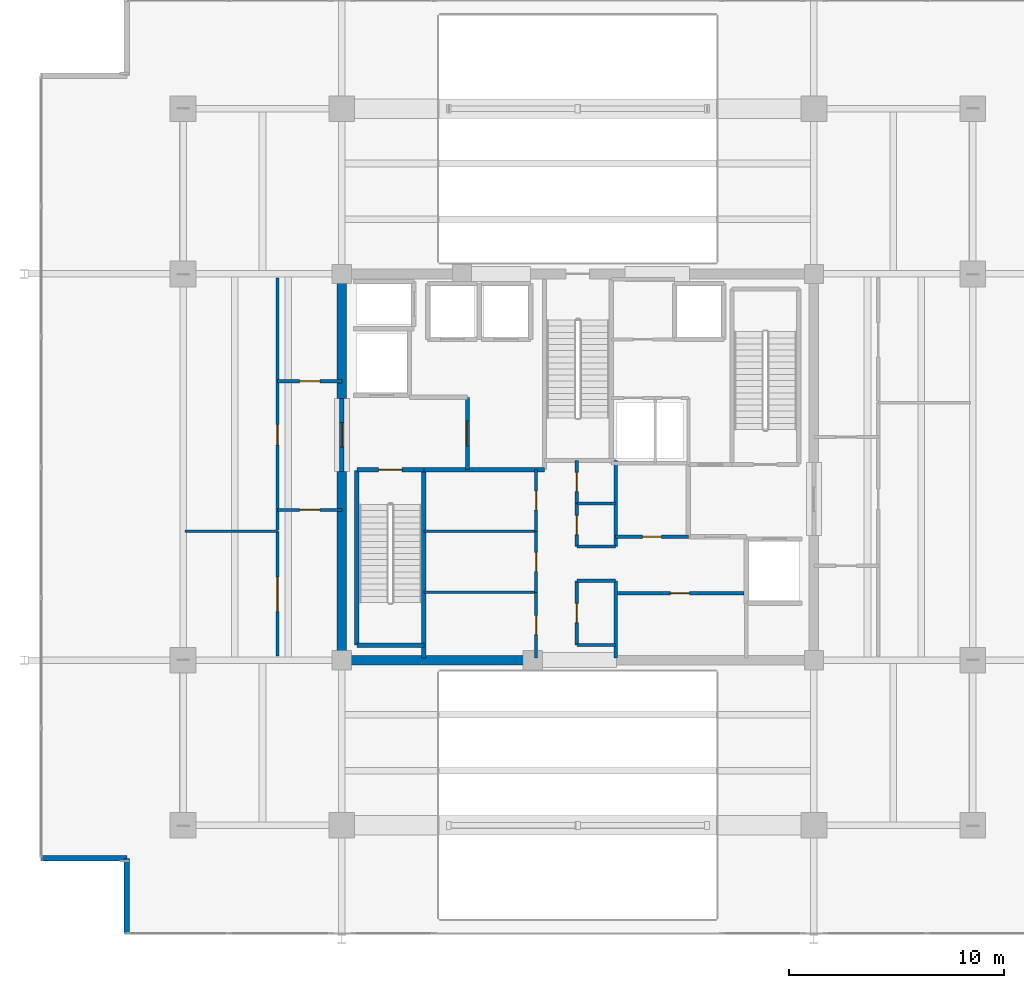
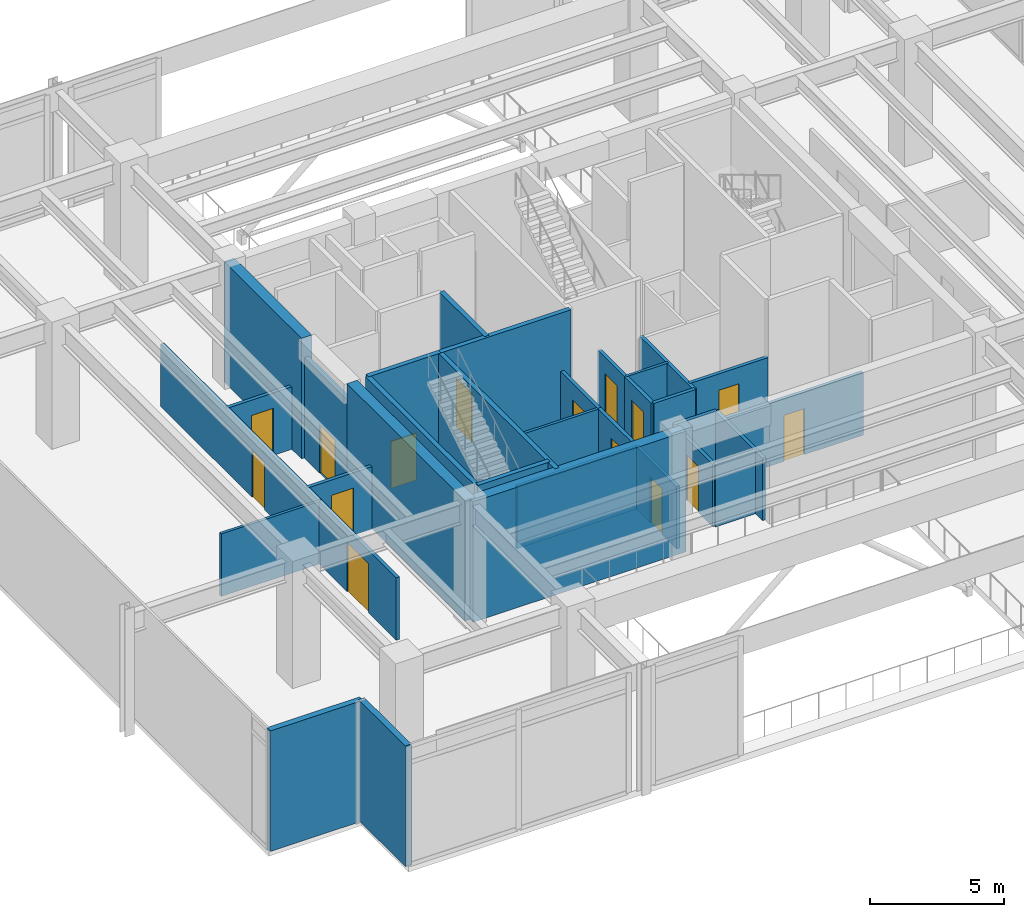
# One storey, part 21 of 25: 33 walls, 15 doors, 15 openings.
"""IFC4 building model written with IfcOpenShell, lengths in metres."""

from ifc_helpers import new_model, si_unit, direction, frame, frame_2d, origin, place, context, subcontext, project, spatial, rectangle, extrude, material, layer, layer_set, type_object, element, fill, save


model = new_model("IFC4")

# Units and contexts
model_context = context("Model", 3, precision=1e-05, world=origin(), true_north=direction((0.0, 1.0)))
body_context = subcontext(model_context, "Body", "Model", "MODEL_VIEW")
ifc_project = project(units=[si_unit("LENGTHUNIT", "METRE"), si_unit("AREAUNIT", "SQUARE_METRE"), si_unit("VOLUMEUNIT", "CUBIC_METRE"), si_unit("PLANEANGLEUNIT", "RADIAN"), si_unit("MASSUNIT", "GRAM", prefix="KILO")], contexts=[model_context])

# Site, building, storey
site_placement = place(None, origin())
site = spatial("IfcSite", under=ifc_project, at=site_placement, CompositionType="ELEMENT")
building_placement = place(site_placement, origin())
building = spatial("IfcBuilding", under=site, at=building_placement, Name="Kovane Verandah Tower", CompositionType="ELEMENT")
storey_placement = place(building_placement, frame((0.0, 0.0, 295.199951171875)))
storey = spatial("IfcBuildingStorey", under=building, at=storey_placement, Name="L69", CompositionType="ELEMENT", Elevation=295.199951171875)

# Walls
ifc_material_1 = material(Name="Fire-Rated Gypsum Stud Partition", Category="gypsum")
ifc_layer_1 = layer(ifc_material_1, 0.14990234375)
ifc_layer_set_1 = layer_set([ifc_layer_1], Name="Fire-Rated Gypsum Stud Partition")
wall_type_1 = type_object("IfcWallType", Name="WL-COR-150", PredefinedType="PARTITIONING", material=ifc_layer_set_1)
for number, where, z_axis, x_axis, name in (
    (1, (39.949951171875, 19.199951171875, 0.0), (0.0, 0.0, 1.0), (1.0, 0.0, 0.0), "L69 Central Core Strip South Wall"),
    (2, (39.949951171875, 22.199951171875, 0.0), (0.0, 0.0, 1.0), (1.0, 0.0, 0.0), "L69 Core Cross-Passage South Wall"),
    (3, (39.949951171875, 23.800048828125, 0.0), (0.0, 0.0, 1.0), (1.0, 0.0, 0.0), "L69 Core Cross-Passage North Wall"),
):
    element("IfcWall", number, at=place(storey_placement, frame(where, z_axis=z_axis, x_axis=x_axis)), inside=storey, type_object=wall_type_1, Name=name, PredefinedType="PARTITIONING", context=body_context, shape_type="SweptSolid", body=[
        extrude(rectangle(XDim=1.81005859375, YDim=0.14990234375, at=frame_2d((0.905029296875, 0.0))), origin(), (0.0, 0.0, 1.0), 2.85009765625),
    ])
wall_1_placement = place(storey_placement, frame((41.760009765625, 18.60009765625, 0.0), z_axis=(0.0, 0.0, 1.0), x_axis=(0.0, 1.0, 0.0)))
element("IfcWall", 4, at=wall_1_placement, inside=storey, type_object=wall_type_1, Name="L69 Central Core Strip Lower East Wall", PredefinedType="PARTITIONING", context=body_context, shape_type="SweptSolid", body=[
    extrude(rectangle(XDim=3.599853515625, YDim=0.14990234375, at=frame_2d((1.7998046875, 0.0))), origin(), (0.0, 0.0, 1.0), 2.85009765625),
])
wall_2_placement = place(storey_placement, frame((41.760009765625, 23.800048828125, 0.0), z_axis=(0.0, 0.0, 1.0), x_axis=(0.0, 1.0, 0.0)))
element("IfcWall", 5, at=wall_2_placement, inside=storey, type_object=wall_type_1, Name="L69 Central Core Strip Upper East Wall", PredefinedType="PARTITIONING", context=body_context, shape_type="SweptSolid", body=[
    extrude(rectangle(XDim=4.0, YDim=0.14990234375, at=frame_2d((2.0, 0.0))), origin(), (0.0, 0.0, 1.0), 2.85009765625),
])

# Wall, opening, door
wall_3_placement = place(storey_placement, frame((39.949951171875, 19.199951171875, 0.0), z_axis=(0.0, 0.0, 1.0), x_axis=(0.0, 1.0, 0.0)))
wall_3 = element("IfcWall", 6, at=wall_3_placement, inside=storey, type_object=wall_type_1, Name="L69 Male Toilet Partition", PredefinedType="PARTITIONING", context=body_context, shape_type="SweptSolid", body=[
    extrude(rectangle(XDim=3.0, YDim=0.14990234375, at=frame_2d((1.5, 0.0))), origin(), (0.0, 0.0, 1.0), 2.85009765625),
])
opening_1_placement = place(wall_3_placement, frame((1.050048828125, 0.0, 0.0)))
opening_1 = element("IfcOpeningElement", 7, at=opening_1_placement, cuts=wall_3, Name="Opening DR-L69-027", PredefinedType="OPENING", context=body_context, shape_type="SweptSolid", body=[
    extrude(rectangle(XDim=0.89990234375, YDim=2.10009765625, at=frame_2d((0.449951171875, 1.050048828125))), frame((0.0, 0.074951171875, 0.0), z_axis=(0.0, -1.0, 0.0), x_axis=(1.0, 0.0, 0.0)), (0.0, 0.0, 1.0), 0.14990234375),
])
ifc_material_2 = material(Name="Moisture-Resistant Laminate Washroom Door", Category="wood")
door_type_1 = type_object("IfcDoorType", Name="DR-WC-900", OperationType="SINGLE_SWING_LEFT", PredefinedType="DOOR", material=ifc_material_2)
door_1_placement = place(opening_1_placement, origin())
door_1 = element("IfcDoor", 8, at=door_1_placement, inside=storey, type_object=door_type_1, Name="L69 Male Toilet Door", OperationType="SINGLE_SWING_LEFT", OverallHeight=2.10009765625, OverallWidth=0.89990234375, PredefinedType="DOOR", context=body_context, shape_type="SweptSolid", body=[
    extrude(rectangle(XDim=0.89990234375, YDim=2.10009765625, at=frame_2d((0.449951171875, 1.050048828125))), frame((0.0, 0.02490234375, 0.0), z_axis=(0.0, -1.0, 0.0), x_axis=(1.0, 0.0, 0.0)), (0.0, 0.0, 1.0), 0.050048828125),
])
fill(opening_1, door_1)

wall_4_placement = place(storey_placement, frame((39.949951171875, 23.800048828125, 0.0), z_axis=(0.0, 0.0, 1.0), x_axis=(0.0, 1.0, 0.0)))
wall_4 = element("IfcWall", 9, at=wall_4_placement, inside=storey, type_object=wall_type_1, Name="L69 Female Toilet Partition", PredefinedType="PARTITIONING", context=body_context, shape_type="SweptSolid", body=[
    extrude(rectangle(XDim=2.0, YDim=0.14990234375, at=frame_2d((1.0, 0.0))), origin(), (0.0, 0.0, 1.0), 2.85009765625),
])
opening_2_placement = place(wall_4_placement, frame((0.550048828125, 0.0, 0.0)))
opening_2 = element("IfcOpeningElement", 10, at=opening_2_placement, cuts=wall_4, Name="Opening DR-L69-026", PredefinedType="OPENING", context=body_context, shape_type="SweptSolid", body=[
    extrude(rectangle(XDim=0.89990234375, YDim=2.10009765625, at=frame_2d((0.449951171875, 1.050048828125))), frame((0.0, 0.074951171875, 0.0), z_axis=(0.0, -1.0, 0.0), x_axis=(1.0, 0.0, 0.0)), (0.0, 0.0, 1.0), 0.14990234375),
])
door_2_placement = place(opening_2_placement, origin())
door_2 = element("IfcDoor", 11, at=door_2_placement, inside=storey, type_object=door_type_1, Name="L69 Female Toilet Door", OperationType="SINGLE_SWING_RIGHT", OverallHeight=2.10009765625, OverallWidth=0.89990234375, PredefinedType="DOOR", context=body_context, shape_type="SweptSolid", body=[
    extrude(rectangle(XDim=0.89990234375, YDim=2.10009765625, at=frame_2d((0.449951171875, 1.050048828125))), frame((0.0, 0.02490234375, 0.0), z_axis=(0.0, -1.0, 0.0), x_axis=(1.0, 0.0, 0.0)), (0.0, 0.0, 1.0), 0.050048828125),
])
fill(opening_2, door_2)

wall_5_placement = place(storey_placement, frame((39.949951171875, 25.800048828125, 0.0), z_axis=(0.0, 0.0, 1.0), x_axis=(0.0, 1.0, 0.0)))
wall_5 = element("IfcWall", 12, at=wall_5_placement, inside=storey, type_object=wall_type_1, Name="L69 Accessible Unisex Toilet Partition", PredefinedType="PARTITIONING", context=body_context, shape_type="SweptSolid", body=[
    extrude(rectangle(XDim=2.0, YDim=0.14990234375, at=frame_2d((1.0, 0.0))), origin(), (0.0, 0.0, 1.0), 2.85009765625),
])
opening_3_placement = place(wall_5_placement, frame((0.550048828125, 0.0, 0.0)))
opening_3 = element("IfcOpeningElement", 13, at=opening_3_placement, cuts=wall_5, Name="Opening DR-L69-025", PredefinedType="OPENING", context=body_context, shape_type="SweptSolid", body=[
    extrude(rectangle(XDim=0.89990234375, YDim=2.10009765625, at=frame_2d((0.449951171875, 1.050048828125))), frame((0.0, 0.074951171875, 0.0), z_axis=(0.0, -1.0, 0.0), x_axis=(1.0, 0.0, 0.0)), (0.0, 0.0, 1.0), 0.14990234375),
])
door_3_placement = place(opening_3_placement, origin())
door_3 = element("IfcDoor", 14, at=door_3_placement, inside=storey, type_object=door_type_1, Name="L69 Accessible Unisex Toilet Door", OperationType="SINGLE_SWING_LEFT", OverallHeight=2.10009765625, OverallWidth=0.89990234375, PredefinedType="DOOR", context=body_context, shape_type="SweptSolid", body=[
    extrude(rectangle(XDim=0.89990234375, YDim=2.10009765625, at=frame_2d((0.449951171875, 1.050048828125))), frame((0.0, 0.02490234375, 0.0), z_axis=(0.0, -1.0, 0.0), x_axis=(1.0, 0.0, 0.0)), (0.0, 0.0, 1.0), 0.050048828125),
])
fill(opening_3, door_3)

wall_6_placement = place(storey_placement, frame((38.050048828125, 18.60009765625, 0.0), z_axis=(0.0, 0.0, 1.0), x_axis=(0.0, 1.0, 0.0)))
wall_6 = element("IfcWall", 15, at=wall_6_placement, inside=storey, type_object=wall_type_1, Name="L69 Core Smoke Extract Plant Room Partition", PredefinedType="PARTITIONING", context=body_context, shape_type="SweptSolid", body=[
    extrude(rectangle(XDim=3.059814453125, YDim=0.14990234375, at=frame_2d((1.52978515625, 0.0))), origin(), (0.0, 0.0, 1.0), 2.85009765625),
])
opening_4_placement = place(wall_6_placement, frame((1.090087890625, 0.0, 0.0)))
opening_4 = element("IfcOpeningElement", 16, at=opening_4_placement, cuts=wall_6, Name="Opening DR-L69-016", PredefinedType="OPENING", context=body_context, shape_type="SweptSolid", body=[
    extrude(rectangle(XDim=0.8798828125, YDim=2.10009765625, at=frame_2d((0.43994140625, 1.050048828125))), frame((0.0, 0.074951171875, 0.0), z_axis=(0.0, -1.0, 0.0), x_axis=(1.0, 0.0, 0.0)), (0.0, 0.0, 1.0), 0.14990234375),
])
ifc_material_3 = material(Name="Fire-Rated Steel Riser Access Door", Category="steel")
door_type_2 = type_object("IfcDoorType", Name="DR-RISER-880", OperationType="SINGLE_SWING_LEFT", PredefinedType="DOOR", material=ifc_material_3)
door_4_placement = place(opening_4_placement, origin())
door_4 = element("IfcDoor", 17, at=door_4_placement, inside=storey, type_object=door_type_2, Name="L69 Core Smoke Extract Plant Room Door", OperationType="SINGLE_SWING_RIGHT", OverallHeight=2.10009765625, OverallWidth=0.8798828125, PredefinedType="DOOR", context=body_context, shape_type="SweptSolid", body=[
    extrude(rectangle(XDim=0.8798828125, YDim=2.10009765625, at=frame_2d((0.43994140625, 1.050048828125))), frame((0.0, 0.02490234375, 0.0), z_axis=(0.0, -1.0, 0.0), x_axis=(1.0, 0.0, 0.0)), (0.0, 0.0, 1.0), 0.050048828125),
])
fill(opening_4, door_4)

wall_7_placement = place(storey_placement, frame((38.050048828125, 21.659912109375, 0.0), z_axis=(0.0, 0.0, 1.0), x_axis=(0.0, 1.0, 0.0)))
wall_7 = element("IfcWall", 18, at=wall_7_placement, inside=storey, type_object=wall_type_1, Name="L69 Core Chilled Water Booster Plant Room Partition", PredefinedType="PARTITIONING", context=body_context, shape_type="SweptSolid", body=[
    extrude(rectangle(XDim=2.840087890625, YDim=0.14990234375, at=frame_2d((1.419921875, 0.0))), origin(), (0.0, 0.0, 1.0), 2.85009765625),
])
opening_5_placement = place(wall_7_placement, frame((0.97998046875, 0.0, 0.0)))
opening_5 = element("IfcOpeningElement", 19, at=opening_5_placement, cuts=wall_7, Name="Opening DR-L69-017", PredefinedType="OPENING", context=body_context, shape_type="SweptSolid", body=[
    extrude(rectangle(XDim=0.8798828125, YDim=2.10009765625, at=frame_2d((0.43994140625, 1.050048828125))), frame((0.0, 0.074951171875, 0.0), z_axis=(0.0, -1.0, 0.0), x_axis=(1.0, 0.0, 0.0)), (0.0, 0.0, 1.0), 0.14990234375),
])
door_5_placement = place(opening_5_placement, origin())
door_5 = element("IfcDoor", 20, at=door_5_placement, inside=storey, type_object=door_type_2, Name="L69 Core Chilled Water Booster Plant Room Door", OperationType="SINGLE_SWING_LEFT", OverallHeight=2.10009765625, OverallWidth=0.8798828125, PredefinedType="DOOR", context=body_context, shape_type="SweptSolid", body=[
    extrude(rectangle(XDim=0.8798828125, YDim=2.10009765625, at=frame_2d((0.43994140625, 1.050048828125))), frame((0.0, 0.02490234375, 0.0), z_axis=(0.0, -1.0, 0.0), x_axis=(1.0, 0.0, 0.0)), (0.0, 0.0, 1.0), 0.050048828125),
])
fill(opening_5, door_5)

wall_8_placement = place(storey_placement, frame((38.050048828125, 24.5, 0.0), z_axis=(0.0, 0.0, 1.0), x_axis=(0.0, 1.0, 0.0)))
wall_8 = element("IfcWall", 21, at=wall_8_placement, inside=storey, type_object=wall_type_1, Name="L69 Core Electrical Switchgear Plant Room Partition", PredefinedType="PARTITIONING", context=body_context, shape_type="SweptSolid", body=[
    extrude(rectangle(XDim=2.8798828125, YDim=0.14990234375, at=frame_2d((1.43994140625, 0.0))), origin(), (0.0, 0.0, 1.0), 2.85009765625),
])
opening_6_placement = place(wall_8_placement, frame((1.0, 0.0, 0.0)))
opening_6 = element("IfcOpeningElement", 22, at=opening_6_placement, cuts=wall_8, Name="Opening DR-L69-018", PredefinedType="OPENING", context=body_context, shape_type="SweptSolid", body=[
    extrude(rectangle(XDim=0.8798828125, YDim=2.10009765625, at=frame_2d((0.43994140625, 1.050048828125))), frame((0.0, 0.074951171875, 0.0), z_axis=(0.0, -1.0, 0.0), x_axis=(1.0, 0.0, 0.0)), (0.0, 0.0, 1.0), 0.14990234375),
])
door_6_placement = place(opening_6_placement, origin())
door_6 = element("IfcDoor", 23, at=door_6_placement, inside=storey, type_object=door_type_2, Name="L69 Core Electrical Switchgear Plant Room Door", OperationType="SINGLE_SWING_RIGHT", OverallHeight=2.10009765625, OverallWidth=0.8798828125, PredefinedType="DOOR", context=body_context, shape_type="SweptSolid", body=[
    extrude(rectangle(XDim=0.8798828125, YDim=2.10009765625, at=frame_2d((0.43994140625, 1.050048828125))), frame((0.0, 0.02490234375, 0.0), z_axis=(0.0, -1.0, 0.0), x_axis=(1.0, 0.0, 0.0)), (0.0, 0.0, 1.0), 0.050048828125),
])
fill(opening_6, door_6)

wall_9_placement = place(storey_placement, frame((41.760009765625, 21.6201171875, 0.0), z_axis=(0.0, 0.0, 1.0), x_axis=(1.0, 0.0, 0.0)))
wall_9 = element("IfcWall", 24, at=wall_9_placement, inside=storey, type_object=wall_type_1, Name="L69 Core Smoke Extract Fan Plant Room Partition", PredefinedType="PARTITIONING", context=body_context, shape_type="SweptSolid", body=[
    extrude(rectangle(XDim=5.97998046875, YDim=0.14990234375, at=frame_2d((2.989990234375, 0.0))), origin(), (0.0, 0.0, 1.0), 2.85009765625),
])
opening_7_placement = place(wall_9_placement, frame((2.550048828125, 0.0, 0.0)))
opening_7 = element("IfcOpeningElement", 25, at=opening_7_placement, cuts=wall_9, Name="Opening DR-L69-019", PredefinedType="OPENING", context=body_context, shape_type="SweptSolid", body=[
    extrude(rectangle(XDim=0.8798828125, YDim=2.10009765625, at=frame_2d((0.43994140625, 1.050048828125))), frame((0.0, 0.074951171875, 0.0), z_axis=(0.0, -1.0, 0.0), x_axis=(1.0, 0.0, 0.0)), (0.0, 0.0, 1.0), 0.14990234375),
])
door_7_placement = place(opening_7_placement, origin())
door_7 = element("IfcDoor", 26, at=door_7_placement, inside=storey, type_object=door_type_2, Name="L69 Core Smoke Extract Fan Plant Room Door", OperationType="SINGLE_SWING_LEFT", OverallHeight=2.10009765625, OverallWidth=0.8798828125, PredefinedType="DOOR", context=body_context, shape_type="SweptSolid", body=[
    extrude(rectangle(XDim=0.8798828125, YDim=2.10009765625, at=frame_2d((0.43994140625, 1.050048828125))), frame((0.0, 0.02490234375, 0.0), z_axis=(0.0, -1.0, 0.0), x_axis=(1.0, 0.0, 0.0)), (0.0, 0.0, 1.0), 0.050048828125),
])
fill(opening_7, door_7)

wall_10_placement = place(storey_placement, frame((41.760009765625, 24.25, 0.0), z_axis=(0.0, 0.0, 1.0), x_axis=(1.0, 0.0, 0.0)))
wall_10 = element("IfcWall", 27, at=wall_10_placement, inside=storey, type_object=wall_type_1, Name="L69 Cleaner Store Partition", PredefinedType="PARTITIONING", context=body_context, shape_type="SweptSolid", body=[
    extrude(rectangle(XDim=3.389892578125, YDim=0.14990234375, at=frame_2d((1.69482421875, 0.0))), origin(), (0.0, 0.0, 1.0), 2.85009765625),
])
opening_8_placement = place(wall_10_placement, frame((1.2548828125, 0.0, 0.0)))
opening_8 = element("IfcOpeningElement", 28, at=opening_8_placement, cuts=wall_10, Name="Opening DR-L69-020", PredefinedType="OPENING", context=body_context, shape_type="SweptSolid", body=[
    extrude(rectangle(XDim=0.8798828125, YDim=2.10009765625, at=frame_2d((0.43994140625, 1.050048828125))), frame((0.0, 0.074951171875, 0.0), z_axis=(0.0, -1.0, 0.0), x_axis=(1.0, 0.0, 0.0)), (0.0, 0.0, 1.0), 0.14990234375),
])
door_8_placement = place(opening_8_placement, origin())
door_8 = element("IfcDoor", 29, at=door_8_placement, inside=storey, type_object=door_type_2, Name="L69 Cleaner Store Door", OperationType="SINGLE_SWING_RIGHT", OverallHeight=2.10009765625, OverallWidth=0.8798828125, PredefinedType="DOOR", context=body_context, shape_type="SweptSolid", body=[
    extrude(rectangle(XDim=0.8798828125, YDim=2.10009765625, at=frame_2d((0.43994140625, 1.050048828125))), frame((0.0, 0.02490234375, 0.0), z_axis=(0.0, -1.0, 0.0), x_axis=(1.0, 0.0, 0.0)), (0.0, 0.0, 1.0), 0.050048828125),
])
fill(opening_8, door_8)

wall_11_placement = place(storey_placement, frame((26.0, 25.5, 0.0), z_axis=(0.0, 0.0, 1.0), x_axis=(1.0, 0.0, 0.0)))
wall_11 = element("IfcWall", 30, at=wall_11_placement, inside=storey, type_object=wall_type_1, Name="L69 West Refuge Lobby South Fire Wall", PredefinedType="PARTITIONING", context=body_context, shape_type="SweptSolid", body=[
    extrude(rectangle(XDim=3.0, YDim=0.14990234375, at=frame_2d((1.5, 0.0))), origin(), (0.0, 0.0, 1.0), 2.85009765625),
])
opening_9_placement = place(wall_11_placement, frame((1.02490234375, 0.0, 0.0)))
opening_9 = element("IfcOpeningElement", 31, at=opening_9_placement, cuts=wall_11, Name="Opening DR-L69-009", PredefinedType="OPENING", context=body_context, shape_type="SweptSolid", body=[
    extrude(rectangle(XDim=0.949951171875, YDim=2.14990234375, at=frame_2d((0.47509765625, 1.074951171875))), frame((0.0, 0.074951171875, 0.0), z_axis=(0.0, -1.0, 0.0), x_axis=(1.0, 0.0, 0.0)), (0.0, 0.0, 1.0), 0.14990234375),
])
ifc_material_4 = material(Name="Fire-Rated Steel Refuge and Lobby Door", Category="steel")
door_type_3 = type_object("IfcDoorType", Name="DR-FIRE-950", OperationType="SINGLE_SWING_LEFT", PredefinedType="DOOR", material=ifc_material_4)
door_9_placement = place(opening_9_placement, origin())
door_9 = element("IfcDoor", 32, at=door_9_placement, inside=storey, type_object=door_type_3, Name="L69 West Refuge Lobby South Fire Door", OperationType="SINGLE_SWING_RIGHT", OverallHeight=2.14990234375, OverallWidth=0.949951171875, PredefinedType="DOOR", context=body_context, shape_type="SweptSolid", body=[
    extrude(rectangle(XDim=0.949951171875, YDim=2.14990234375, at=frame_2d((0.47509765625, 1.074951171875))), frame((0.0, 0.02490234375, 0.0), z_axis=(0.0, -1.0, 0.0), x_axis=(1.0, 0.0, 0.0)), (0.0, 0.0, 1.0), 0.050048828125),
])
fill(opening_9, door_9)

wall_12_placement = place(storey_placement, frame((26.0, 31.5, 0.0), z_axis=(0.0, 0.0, 1.0), x_axis=(1.0, 0.0, 0.0)))
wall_12 = element("IfcWall", 33, at=wall_12_placement, inside=storey, type_object=wall_type_1, Name="L69 West Refuge Lobby North Fire Wall", PredefinedType="PARTITIONING", context=body_context, shape_type="SweptSolid", body=[
    extrude(rectangle(XDim=3.0, YDim=0.14990234375, at=frame_2d((1.5, 0.0))), origin(), (0.0, 0.0, 1.0), 2.85009765625),
])
opening_10_placement = place(wall_12_placement, frame((1.02490234375, 0.0, 0.0)))
opening_10 = element("IfcOpeningElement", 34, at=opening_10_placement, cuts=wall_12, Name="Opening DR-L69-008", PredefinedType="OPENING", context=body_context, shape_type="SweptSolid", body=[
    extrude(rectangle(XDim=0.949951171875, YDim=2.14990234375, at=frame_2d((0.47509765625, 1.074951171875))), frame((0.0, 0.074951171875, 0.0), z_axis=(0.0, -1.0, 0.0), x_axis=(1.0, 0.0, 0.0)), (0.0, 0.0, 1.0), 0.14990234375),
])
door_10_placement = place(opening_10_placement, origin())
door_10 = element("IfcDoor", 35, at=door_10_placement, inside=storey, type_object=door_type_3, Name="L69 West Refuge Lobby North Fire Door", OperationType="SINGLE_SWING_LEFT", OverallHeight=2.14990234375, OverallWidth=0.949951171875, PredefinedType="DOOR", context=body_context, shape_type="SweptSolid", body=[
    extrude(rectangle(XDim=0.949951171875, YDim=2.14990234375, at=frame_2d((0.47509765625, 1.074951171875))), frame((0.0, 0.02490234375, 0.0), z_axis=(0.0, -1.0, 0.0), x_axis=(1.0, 0.0, 0.0)), (0.0, 0.0, 1.0), 0.050048828125),
])
fill(opening_10, door_10)

wall_13_placement = place(storey_placement, frame((26.0, 18.699951171875, 0.0), z_axis=(0.0, 0.0, 1.0), x_axis=(0.0, 1.0, 0.0)))
wall_13 = element("IfcWall", 36, at=wall_13_placement, inside=storey, type_object=wall_type_1, Name="L69 Mechanical AHU Plant Room West Corridor Partition", PredefinedType="PARTITIONING", context=body_context, shape_type="SweptSolid", body=[
    extrude(rectangle(XDim=5.800048828125, YDim=0.14990234375, at=frame_2d((2.89990234375, 0.0))), origin(), (0.0, 0.0, 1.0), 2.85009765625),
])
opening_11_placement = place(wall_13_placement, frame((2.06494140625, 0.0, 0.0)))
opening_11 = element("IfcOpeningElement", 37, at=opening_11_placement, cuts=wall_13, Name="Opening DR-L69-014", PredefinedType="OPENING", context=body_context, shape_type="SweptSolid", body=[
    extrude(rectangle(XDim=1.60009765625, YDim=2.25, at=frame_2d((0.800048828125, 1.125))), frame((0.0, 0.074951171875, 0.0), z_axis=(0.0, -1.0, 0.0), x_axis=(1.0, 0.0, 0.0)), (0.0, 0.0, 1.0), 0.14990234375),
])
ifc_material_5 = material(Name="Louvred Acoustic Steel Double Plant Door", Category="steel")
door_type_4 = type_object("IfcDoorType", Name="DR-PLANT-1600", OperationType="DOUBLE_DOOR_SINGLE_SWING", PredefinedType="DOOR", material=ifc_material_5)
door_11_placement = place(opening_11_placement, origin())
door_11 = element("IfcDoor", 38, at=door_11_placement, inside=storey, type_object=door_type_4, Name="L69 Mechanical AHU Plant Room West Entrance Door", OperationType="DOUBLE_DOOR_SINGLE_SWING", OverallHeight=2.25, OverallWidth=1.60009765625, PredefinedType="DOOR", context=body_context, shape_type="SweptSolid", body=[
    extrude(rectangle(XDim=1.60009765625, YDim=2.25, at=frame_2d((0.800048828125, 1.125))), frame((0.0, 0.02490234375, 0.0), z_axis=(0.0, -1.0, 0.0), x_axis=(1.0, 0.0, 0.0)), (0.0, 0.0, 1.0), 0.050048828125),
])
fill(opening_11, door_11)

wall_14_placement = place(storey_placement, frame((26.0, 24.570068359375, 0.0), z_axis=(0.0, 0.0, 1.0), x_axis=(0.0, 1.0, 0.0)))
wall_14 = element("IfcWall", 39, at=wall_14_placement, inside=storey, type_object=wall_type_1, Name="L69 Open-Sided Refuge Area West Corridor Partition", PredefinedType="PARTITIONING", context=body_context, shape_type="SweptSolid", body=[
    extrude(rectangle(XDim=11.72998046875, YDim=0.14990234375, at=frame_2d((5.864990234375, 0.0))), origin(), (0.0, 0.0, 1.0), 2.85009765625),
])
opening_12_placement = place(wall_14_placement, frame((3.955078125, 0.0, 0.0)))
opening_12 = element("IfcOpeningElement", 40, at=opening_12_placement, cuts=wall_14, Name="Opening DR-L69-024", PredefinedType="OPENING", context=body_context, shape_type="SweptSolid", body=[
    extrude(rectangle(XDim=0.949951171875, YDim=2.14990234375, at=frame_2d((0.47509765625, 1.074951171875))), frame((0.0, 0.074951171875, 0.0), z_axis=(0.0, -1.0, 0.0), x_axis=(1.0, 0.0, 0.0)), (0.0, 0.0, 1.0), 0.14990234375),
])
door_12_placement = place(opening_12_placement, origin())
door_12 = element("IfcDoor", 41, at=door_12_placement, inside=storey, type_object=door_type_3, Name="L69 Open-Sided Refuge Area West Entrance Door", OperationType="SINGLE_SWING_LEFT", OverallHeight=2.14990234375, OverallWidth=0.949951171875, PredefinedType="DOOR", context=body_context, shape_type="SweptSolid", body=[
    extrude(rectangle(XDim=0.949951171875, YDim=2.14990234375, at=frame_2d((0.47509765625, 1.074951171875))), frame((0.0, 0.02490234375, 0.0), z_axis=(0.0, -1.0, 0.0), x_axis=(1.0, 0.0, 0.0)), (0.0, 0.0, 1.0), 0.050048828125),
])
fill(opening_12, door_12)

# Walls
ifc_material_6 = material(Name="Concrete C60/75", Category="concrete")
ifc_layer_2 = layer(ifc_material_6, 0.449951171875)
ifc_layer_set_2 = layer_set([ifc_layer_2], Name="Concrete C60/75")
wall_type_2 = type_object("IfcWallType", Name="WL-CORE-450", PredefinedType="SHEAR", material=ifc_layer_set_2)
wall_15_placement = place(storey_placement, frame((29.0, 18.5, 0.0), z_axis=(0.0, 0.0, 1.0), x_axis=(1.0, 0.0, 0.0)))
element("IfcWall", 42, at=wall_15_placement, inside=storey, type_object=wall_type_2, Name="L69 Core Shear Wall CS-1", PredefinedType="SHEAR", context=body_context, shape_type="SweptSolid", body=[
    extrude(rectangle(XDim=9.199951171875, YDim=0.449951171875, at=frame_2d((4.60009765625, 0.0))), origin(), (0.0, 0.0, 1.0), 5.5),
])
wall_16_placement = place(storey_placement, frame((29.0, 18.5, 0.0), z_axis=(0.0, 0.0, 1.0), x_axis=(0.0, 1.0, 0.0)))
element("IfcWall", 43, at=wall_16_placement, inside=storey, type_object=wall_type_2, Name="L69 Core Shear Wall CW-1", PredefinedType="SHEAR", context=body_context, shape_type="SweptSolid", body=[
    extrude(rectangle(XDim=8.800048828125, YDim=0.449951171875, at=frame_2d((4.39990234375, 0.0))), origin(), (0.0, 0.0, 1.0), 5.5),
])
wall_17_placement = place(storey_placement, frame((29.0, 30.699951171875, 0.0), z_axis=(0.0, 0.0, 1.0), x_axis=(0.0, 1.0, 0.0)))
element("IfcWall", 44, at=wall_17_placement, inside=storey, type_object=wall_type_2, Name="L69 Core Shear Wall CW-2", PredefinedType="SHEAR", context=body_context, shape_type="SweptSolid", body=[
    extrude(rectangle(XDim=5.800048828125, YDim=0.449951171875, at=frame_2d((2.89990234375, 0.0))), origin(), (0.0, 0.0, 1.0), 5.5),
])

# Wall, opening, door
ifc_material_7 = material(Name="Concrete C45/55 Fire Wall", Category="concrete")
ifc_layer_3 = layer(ifc_material_7, 0.199951171875)
ifc_layer_set_3 = layer_set([ifc_layer_3], Name="Concrete C45/55 Fire Wall")
wall_type_3 = type_object("IfcWallType", Name="WL-FFL-200", PredefinedType="PARTITIONING", material=ifc_layer_set_3)
wall_18_placement = place(storey_placement, frame((34.85009765625, 27.3798828125, 0.0), z_axis=(0.0, 0.0, 1.0), x_axis=(0.0, 1.0, 0.0)))
wall_18 = element("IfcWall", 45, at=wall_18_placement, inside=storey, type_object=wall_type_3, Name="W-L69-FFLW-E", PredefinedType="PARTITIONING", context=body_context, shape_type="SweptSolid", body=[
    extrude(rectangle(XDim=3.3701171875, YDim=0.199951171875, at=frame_2d((1.68505859375, 0.0))), origin(), (0.0, 0.0, 1.0), 5.5),
])
opening_13_placement = place(wall_18_placement, frame((1.110107421875, 0.0, 0.0)))
opening_13 = element("IfcOpeningElement", 46, at=opening_13_placement, cuts=wall_18, Name="Opening DR-L69-004", PredefinedType="OPENING", context=body_context, shape_type="SweptSolid", body=[
    extrude(rectangle(XDim=1.14990234375, YDim=2.199951171875, at=frame_2d((0.574951171875, 1.10009765625))), frame((0.0, 0.10009765625, 0.0), z_axis=(0.0, -1.0, 0.0), x_axis=(1.0, 0.0, 0.0)), (0.0, 0.0, 1.0), 0.199951171875),
])
ifc_material_8 = material(Name="Smoke-Sealed Firefighting Lobby Door", Category="steel")
door_type_5 = type_object("IfcDoorType", Name="DR-FFL-1150", OperationType="SINGLE_SWING_LEFT", PredefinedType="DOOR", material=ifc_material_8)
door_13_placement = place(opening_13_placement, origin())
door_13 = element("IfcDoor", 47, at=door_13_placement, inside=storey, type_object=door_type_5, Name="L69 West Firefighting Lobby Inner Door", OperationType="SINGLE_SWING_LEFT", OverallHeight=2.199951171875, OverallWidth=1.14990234375, PredefinedType="DOOR", context=body_context, shape_type="SweptSolid", body=[
    extrude(rectangle(XDim=1.14990234375, YDim=2.199951171875, at=frame_2d((0.574951171875, 1.10009765625))), frame((0.0, 0.02490234375, 0.0), z_axis=(0.0, -1.0, 0.0), x_axis=(1.0, 0.0, 0.0)), (0.0, 0.0, 1.0), 0.050048828125),
])
fill(opening_13, door_13)

wall_19_placement = place(storey_placement, frame((29.0, 27.300048828125, 0.0), z_axis=(0.0, 0.0, 1.0), x_axis=(0.0, 1.0, 0.0)))
wall_19 = element("IfcWall", 48, at=wall_19_placement, inside=storey, type_object=wall_type_3, Name="W-L69-FFLW-OUT", PredefinedType="PARTITIONING", context=body_context, shape_type="SweptSolid", body=[
    extrude(rectangle(XDim=3.39990234375, YDim=0.199951171875, at=frame_2d((1.699951171875, 0.0))), origin(), (0.0, 0.0, 1.0), 4.580078125),
])
opening_14_placement = place(wall_19_placement, frame((1.125, 0.0, 0.0)))
opening_14 = element("IfcOpeningElement", 49, at=opening_14_placement, cuts=wall_19, Name="Opening DR-L69-005", PredefinedType="OPENING", context=body_context, shape_type="SweptSolid", body=[
    extrude(rectangle(XDim=1.14990234375, YDim=2.199951171875, at=frame_2d((0.574951171875, 1.10009765625))), frame((0.0, 0.10009765625, 0.0), z_axis=(0.0, -1.0, 0.0), x_axis=(1.0, 0.0, 0.0)), (0.0, 0.0, 1.0), 0.199951171875),
])
door_14_placement = place(opening_14_placement, origin())
door_14 = element("IfcDoor", 50, at=door_14_placement, inside=storey, type_object=door_type_5, Name="L69 West Firefighting Lobby Corridor Door", OperationType="SINGLE_SWING_RIGHT", OverallHeight=2.199951171875, OverallWidth=1.14990234375, PredefinedType="DOOR", context=body_context, shape_type="SweptSolid", body=[
    extrude(rectangle(XDim=1.14990234375, YDim=2.199951171875, at=frame_2d((0.574951171875, 1.10009765625))), frame((0.0, 0.02490234375, 0.0), z_axis=(0.0, -1.0, 0.0), x_axis=(1.0, 0.0, 0.0)), (0.0, 0.0, 1.0), 0.050048828125),
])
fill(opening_14, door_14)

# Walls
wall_20_placement = place(storey_placement, frame((32.820068359375, 27.3798828125, 0.0), z_axis=(0.0, 0.0, 1.0), x_axis=(1.0, 0.0, 0.0)))
element("IfcWall", 51, at=wall_20_placement, inside=storey, type_object=wall_type_3, Name="L69 West Firefighting Lobby South Fire Wall", PredefinedType="PARTITIONING", context=body_context, shape_type="SweptSolid", body=[
    extrude(rectangle(XDim=5.619873046875, YDim=0.199951171875, at=frame_2d((2.81005859375, 0.0))), origin(), (0.0, 0.0, 1.0), 5.5),
])
ifc_material_9 = material(Name="Acoustic Fire-Rated Gypsum Partition", Category="gypsum")
ifc_layer_4 = layer(ifc_material_9, 0.1201171875)
ifc_layer_set_4 = layer_set([ifc_layer_4], Name="Acoustic Fire-Rated Gypsum Partition")
wall_type_4 = type_object("IfcWallType", Name="WL-PART-120", PredefinedType="PARTITIONING", material=ifc_layer_set_4)
wall_21_placement = place(storey_placement, frame((39.949951171875, 25.800048828125, 0.0), z_axis=(0.0, 0.0, 1.0), x_axis=(1.0, 0.0, 0.0)))
element("IfcWall", 52, at=wall_21_placement, inside=storey, type_object=wall_type_4, Name="L69 Central Core Strip Upper Dividing Partition", PredefinedType="PARTITIONING", context=body_context, shape_type="SweptSolid", body=[
    extrude(rectangle(XDim=1.81005859375, YDim=0.1201171875, at=frame_2d((0.905029296875, 0.0))), origin(), (0.0, 0.0, 1.0), 2.85009765625),
])
for number, where, z_axis, x_axis, name in (
    (53, (32.820068359375, 21.659912109375, 0.0), (0.0, 0.0, 1.0), (1.0, 0.0, 0.0), "L69 Core Support Lower Dividing Partition"),
    (54, (32.820068359375, 24.5, 0.0), (0.0, 0.0, 1.0), (1.0, 0.0, 0.0), "L69 Core Support Upper Dividing Partition"),
):
    element("IfcWall", number, at=place(storey_placement, frame(where, z_axis=z_axis, x_axis=x_axis)), inside=storey, type_object=wall_type_4, Name=name, PredefinedType="PARTITIONING", context=body_context, shape_type="SweptSolid", body=[
        extrude(rectangle(XDim=5.22998046875, YDim=0.1201171875, at=frame_2d((2.614990234375, 0.0))), origin(), (0.0, 0.0, 1.0), 2.85009765625),
    ])
wall_22_placement = place(storey_placement, frame((21.699951171875, 24.5, 0.0), z_axis=(0.0, 0.0, 1.0), x_axis=(1.0, 0.0, 0.0)))
element("IfcWall", 55, at=wall_22_placement, inside=storey, type_object=wall_type_4, Name="L69 Mechanical AHU Plant Room West Dividing Partition", PredefinedType="PARTITIONING", context=body_context, shape_type="SweptSolid", body=[
    extrude(rectangle(XDim=4.300048828125, YDim=0.1201171875, at=frame_2d((2.14990234375, 0.0))), origin(), (0.0, 0.0, 1.0), 2.85009765625),
])
ifc_material_10 = material(Name="Concrete C45/55", Category="concrete")
ifc_layer_5 = layer(ifc_material_10, 0.199951171875)
ifc_layer_set_5 = layer_set([ifc_layer_5], Name="Concrete C45/55")
wall_type_5 = type_object("IfcWallType", Name="WL-SHAFT-200", PredefinedType="SOLIDWALL", material=ifc_layer_set_5)
wall_23_placement = place(storey_placement, frame((29.699951171875, 19.199951171875, 0.0), z_axis=(0.0, 0.0, 1.0), x_axis=(0.0, 1.0, 0.0)))
element("IfcWall", 56, at=wall_23_placement, inside=storey, type_object=wall_type_5, Name="W-L69-ST01-W", PredefinedType="SOLIDWALL", context=body_context, shape_type="SweptSolid", body=[
    extrude(rectangle(XDim=8.150146484375, YDim=0.199951171875, at=frame_2d((4.0751953125, 0.0))), origin(), (0.0, 0.0, 1.0), 5.5),
])
wall_24_placement = place(storey_placement, frame((29.699951171875, 19.199951171875, 0.0), z_axis=(0.0, 0.0, 1.0), x_axis=(1.0, 0.0, 0.0)))
element("IfcWall", 57, at=wall_24_placement, inside=storey, type_object=wall_type_5, Name="W-L69-ST01-S", PredefinedType="SOLIDWALL", context=body_context, shape_type="SweptSolid", body=[
    extrude(rectangle(XDim=3.1201171875, YDim=0.199951171875, at=frame_2d((1.56005859375, 0.0))), origin(), (0.0, 0.0, 1.0), 5.5),
])
wall_25_placement = place(storey_placement, frame((32.820068359375, 18.60009765625, 0.0), z_axis=(0.0, 0.0, 1.0), x_axis=(0.0, 1.0, 0.0)))
element("IfcWall", 58, at=wall_25_placement, inside=storey, type_object=wall_type_5, Name="W-L69-ST01-E", PredefinedType="SOLIDWALL", context=body_context, shape_type="SweptSolid", body=[
    extrude(rectangle(XDim=8.77978515625, YDim=0.199951171875, at=frame_2d((4.389892578125, 0.0))), origin(), (0.0, 0.0, 1.0), 5.5),
])

# Wall, opening, door
wall_26_placement = place(storey_placement, frame((29.699951171875, 27.3798828125, 0.0), z_axis=(0.0, 0.0, 1.0), x_axis=(1.0, 0.0, 0.0)))
wall_26 = element("IfcWall", 59, at=wall_26_placement, inside=storey, type_object=wall_type_5, Name="W-L69-ST01-N", PredefinedType="SOLIDWALL", context=body_context, shape_type="SweptSolid", body=[
    extrude(rectangle(XDim=3.1201171875, YDim=0.199951171875, at=frame_2d((1.56005859375, 0.0))), origin(), (0.0, 0.0, 1.0), 5.5),
])
opening_15_placement = place(wall_26_placement, frame((1.010009765625, 0.0, 0.0)))
opening_15 = element("IfcOpeningElement", 60, at=opening_15_placement, cuts=wall_26, Name="Opening DR-L69-010", PredefinedType="OPENING", context=body_context, shape_type="SweptSolid", body=[
    extrude(rectangle(XDim=1.10009765625, YDim=2.14990234375, at=frame_2d((0.550048828125, 1.074951171875))), frame((0.0, 0.10009765625, 0.0), z_axis=(0.0, -1.0, 0.0), x_axis=(1.0, 0.0, 0.0)), (0.0, 0.0, 1.0), 0.199951171875),
])
ifc_material_11 = material(Name="Fire-Rated Steel Exit Door", Category="steel")
door_type_6 = type_object("IfcDoorType", Name="DR-STAIR-1100", OperationType="SINGLE_SWING_LEFT", PredefinedType="DOOR", material=ifc_material_11)
door_15_placement = place(opening_15_placement, origin())
door_15 = element("IfcDoor", 61, at=door_15_placement, inside=storey, type_object=door_type_6, Name="L69 ST-01 Fire Exit Stair Door", OperationType="SINGLE_SWING_RIGHT", OverallHeight=2.14990234375, OverallWidth=1.10009765625, PredefinedType="DOOR", context=body_context, shape_type="SweptSolid", body=[
    extrude(rectangle(XDim=1.10009765625, YDim=2.14990234375, at=frame_2d((0.550048828125, 1.074951171875))), frame((0.0, 0.02490234375, 0.0), z_axis=(0.0, -1.0, 0.0), x_axis=(1.0, 0.0, 0.0)), (0.0, 0.0, 1.0), 0.050048828125),
])
fill(opening_15, door_15)

# Walls
ifc_material_12 = material(Name="Concrete C45/55 Insulated Spandrel Wall", Category="concrete")
ifc_layer_6 = layer(ifc_material_12, 0.260009765625)
ifc_layer_set_6 = layer_set([ifc_layer_6], Name="Concrete C45/55 Insulated Spandrel Wall")
wall_type_6 = type_object("IfcWallType", Name="WL-SPANDREL-260", PredefinedType="PARAPET", material=ifc_layer_set_6)
wall_27_placement = place(storey_placement, frame((14.982177734375, 9.25830078125, 0.0), z_axis=(0.0, 0.0, 1.0), x_axis=(1.0, 0.0, 0.0)))
element("IfcWall", 62, at=wall_27_placement, inside=storey, type_object=wall_type_6, Name="L69 SW Notch Cheek Wall 1", PredefinedType="PARAPET", context=body_context, shape_type="SweptSolid", body=[
    extrude(rectangle(XDim=4.0, YDim=0.260009765625, at=frame_2d((2.0, 0.0))), origin(), (0.0, 0.0, 1.0), 5.5),
])
wall_28_placement = place(storey_placement, frame((18.982177734375, 9.25830078125, 0.0), z_axis=(0.0, 0.0, 1.0), x_axis=(0.0, -1.0, 0.0)))
element("IfcWall", 63, at=wall_28_placement, inside=storey, type_object=wall_type_6, Name="L69 SW Notch Cheek Wall 2", PredefinedType="PARAPET", context=body_context, shape_type="SweptSolid", body=[
    extrude(rectangle(XDim=3.5, YDim=0.260009765625, at=frame_2d((1.75, 0.0))), origin(), (0.0, 0.0, 1.0), 5.5),
])

save(model, "model.ifc")
